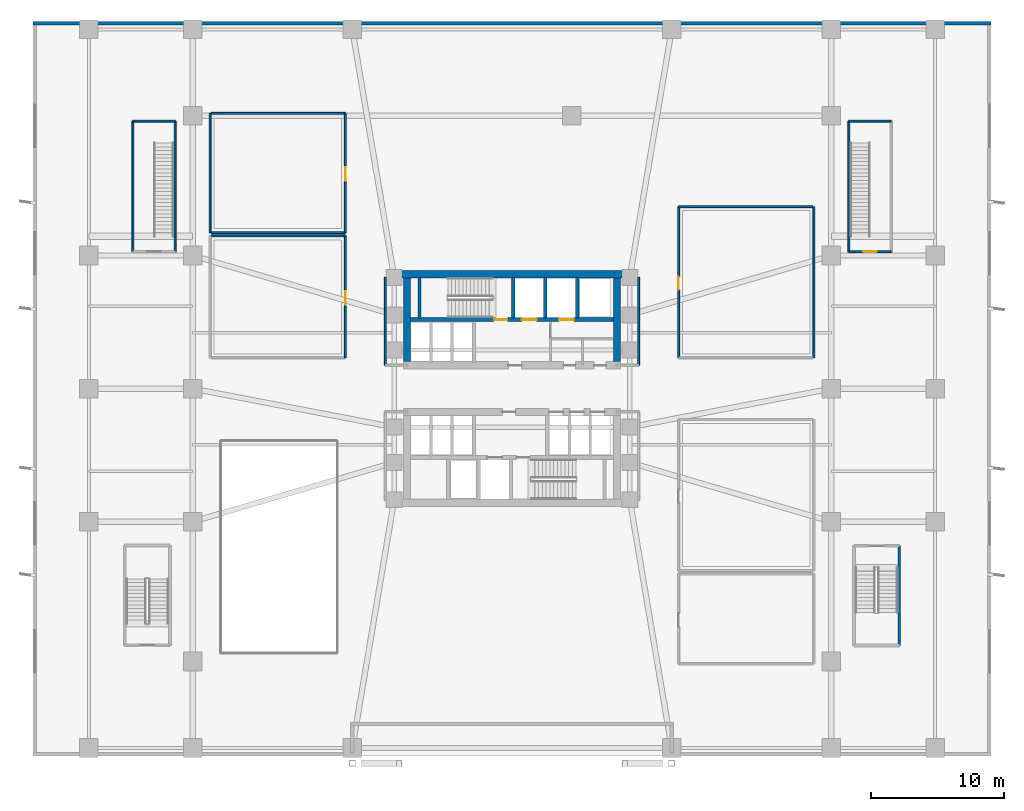
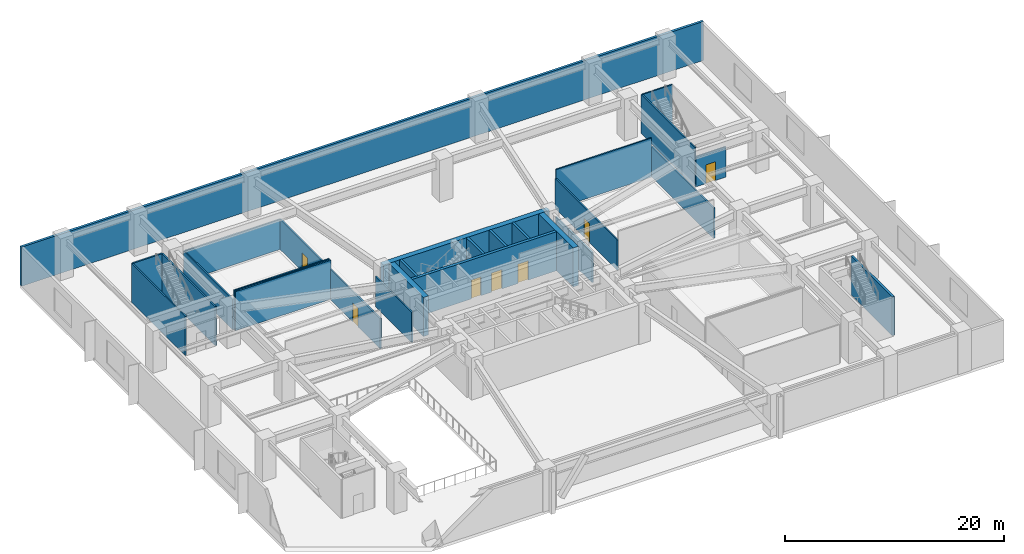
# One storey, part 6 of 12: 27 walls, 7 doors, 7 openings.
"""IFC4 building model written with IfcOpenShell, lengths in metres."""

from ifc_helpers import new_model, si_unit, direction, frame, frame_2d, origin, place, context, subcontext, project, spatial, rectangle, extrude, material, layer, layer_set, type_object, element, fill, save


model = new_model("IFC4")

# Units and contexts
model_context = context("Model", 3, precision=1e-05, world=origin(), true_north=direction((0.0, 1.0)))
body_context = subcontext(model_context, "Body", "Model", "MODEL_VIEW")
ifc_project = project(units=[si_unit("LENGTHUNIT", "METRE"), si_unit("AREAUNIT", "SQUARE_METRE"), si_unit("VOLUMEUNIT", "CUBIC_METRE"), si_unit("PLANEANGLEUNIT", "RADIAN"), si_unit("MASSUNIT", "GRAM", prefix="KILO")], contexts=[model_context])

# Site, building, storey
site_placement = place(None, origin())
site = spatial("IfcSite", under=ifc_project, at=site_placement, CompositionType="ELEMENT")
building_placement = place(site_placement, origin())
building = spatial("IfcBuilding", under=site, at=building_placement, Name="Solmarez Civic Tower", CompositionType="ELEMENT")
storey_placement = place(building_placement, frame((0.0, 0.0, 5.39990234375)))
storey = spatial("IfcBuildingStorey", under=building, at=storey_placement, Name="L01", CompositionType="ELEMENT", Elevation=5.39990234375)

# Walls
ifc_material_1 = material(Name="Concrete C60/75", Category="concrete")
ifc_layer_1 = layer(ifc_material_1, 0.550048828125)
ifc_layer_set_1 = layer_set([ifc_layer_1], Name="Concrete C60/75")
wall_type_1 = type_object("IfcWallType", Name="WALL-CORE-550", PredefinedType="SHEAR", material=ifc_layer_set_1)
wall_1_placement = place(storey_placement, frame((-8.780029296875, 8.5849609375, 0.0), z_axis=(0.0, 0.0, 1.0), x_axis=(1.0, 0.0, 0.0)))
element("IfcWall", 1, at=wall_1_placement, inside=storey, type_object=wall_type_1, Name="L01 Split-Core Structural Wall NCW-N-L01", PredefinedType="SHEAR", context=body_context, shape_type="SweptSolid", body=[
    extrude(rectangle(XDim=17.56005859375, YDim=0.550048828125, at=frame_2d((8.780029296875, 0.0))), origin(), (0.0, 0.0, 1.0), 4.360107421875),
])
for number, where, z_axis, x_axis, name in (
    (2, (-7.89501953125, 2.02490234375, 0.0), (0.0, 0.0, 1.0), (0.0, 1.0, 0.0), "L01 Split-Core Structural Wall NCW-W-L01"),
    (3, (7.89501953125, 8.31005859375, 0.0), (0.0, 0.0, 1.0), (0.0, -1.0, 0.0), "L01 Split-Core Structural Wall NCW-E-L01"),
):
    element("IfcWall", number, at=place(storey_placement, frame(where, z_axis=z_axis, x_axis=x_axis)), inside=storey, type_object=wall_type_1, Name=name, PredefinedType="SHEAR", context=body_context, shape_type="SweptSolid", body=[
        extrude(rectangle(XDim=6.28515625, YDim=0.550048828125, at=frame_2d((3.142578125, 0.0))), origin(), (0.0, 0.0, 1.0), 4.360107421875),
    ])
ifc_material_2 = material(Name="Precast concrete C40/50", Category="concrete")
ifc_layer_2 = layer(ifc_material_2, 0.260009765625)
ifc_layer_set_2 = layer_set([ifc_layer_2], Name="Precast concrete C40/50")
wall_type_2 = type_object("IfcWallType", Name="WALL-EXT-260", PredefinedType="SOLIDWALL", material=ifc_layer_set_2)
wall_2_placement = place(storey_placement, frame((-36.0, 27.469970703125, 0.0), z_axis=(0.0, 0.0, 1.0), x_axis=(1.0, 0.0, 0.0)))
element("IfcWall", 4, at=wall_2_placement, inside=storey, type_object=wall_type_2, Name="L01 North Exterior Precast Wall", PredefinedType="SOLIDWALL", context=body_context, shape_type="SweptSolid", body=[
    extrude(rectangle(XDim=72.0, YDim=0.260009765625, at=frame_2d((36.0, 0.0))), origin(), (0.0, 0.0, 1.0), 4.360107421875),
])
ifc_material_3 = material(Name="Gypsum Board Acoustic Steel-Stud Partition", Category="steel")
ifc_layer_3 = layer(ifc_material_3, 0.14990234375)
ifc_layer_set_3 = layer_set([ifc_layer_3], Name="Gypsum Board Acoustic Steel-Stud Partition")
wall_type_3 = type_object("IfcWallType", Name="WALL-INT-FIRE-150", PredefinedType="PARTITIONING", material=ifc_layer_set_3)
for number, where, z_axis, x_axis, name in (
    (5, (-28.47998046875, 10.300048828125, 0.0), (0.0, 0.0, 1.0), (0.0, 1.0, 0.0), "L01 Podium Stair P3 Shaft Wall"),
    (6, (-25.320068359375, 10.300048828125, 0.0), (0.0, 0.0, 1.0), (0.0, 1.0, 0.0), "L01 Podium Stair P3 Shaft Wall"),
):
    element("IfcWall", number, at=place(storey_placement, frame(where, z_axis=z_axis, x_axis=x_axis)), inside=storey, type_object=wall_type_3, Name=name, PredefinedType="PARTITIONING", context=body_context, shape_type="SweptSolid", body=[
        extrude(rectangle(XDim=9.800048828125, YDim=0.14990234375, at=frame_2d((4.89990234375, 0.0))), origin(), (0.0, 0.0, 1.0), 4.360107421875),
    ])
wall_3_placement = place(storey_placement, frame((-25.320068359375, 20.10009765625, 0.0), z_axis=(0.0, 0.0, 1.0), x_axis=(-1.0, 0.0, 0.0)))
element("IfcWall", 7, at=wall_3_placement, inside=storey, type_object=wall_type_3, Name="L01 Podium Stair P3 Shaft Wall", PredefinedType="PARTITIONING", context=body_context, shape_type="SweptSolid", body=[
    extrude(rectangle(XDim=3.159912109375, YDim=0.14990234375, at=frame_2d((1.580078125, 0.0))), origin(), (0.0, 0.0, 1.0), 4.360107421875),
])
wall_4_placement = place(storey_placement, frame((25.320068359375, 10.300048828125, 0.0), z_axis=(0.0, 0.0, 1.0), x_axis=(0.0, 1.0, 0.0)))
element("IfcWall", 8, at=wall_4_placement, inside=storey, type_object=wall_type_3, Name="L01 Podium Stair P4 Shaft Wall", PredefinedType="PARTITIONING", context=body_context, shape_type="SweptSolid", body=[
    extrude(rectangle(XDim=9.800048828125, YDim=0.14990234375, at=frame_2d((4.89990234375, 0.0))), origin(), (0.0, 0.0, 1.0), 4.360107421875),
])

# Wall, opening, door
wall_5_placement = place(storey_placement, frame((25.320068359375, 10.300048828125, 0.0), z_axis=(0.0, 0.0, 1.0), x_axis=(1.0, 0.0, 0.0)))
wall_5 = element("IfcWall", 9, at=wall_5_placement, inside=storey, type_object=wall_type_3, Name="L01 Podium Stair P4 Shaft Wall", PredefinedType="PARTITIONING", context=body_context, shape_type="SweptSolid", body=[
    extrude(rectangle(XDim=3.159912109375, YDim=0.14990234375, at=frame_2d((1.580078125, 0.0))), origin(), (0.0, 0.0, 1.0), 3.3701171875),
])
opening_1_placement = place(wall_5_placement, frame((1.080078125, 0.0, 0.0)))
opening_1 = element("IfcOpeningElement", 10, at=opening_1_placement, cuts=wall_5, Name="Opening D-05", PredefinedType="OPENING", context=body_context, shape_type="SweptSolid", body=[
    extrude(rectangle(XDim=1.0, YDim=2.10009765625, at=frame_2d((0.5, 1.050048828125))), frame((0.0, 0.0849609375, 0.0), z_axis=(0.0, -1.0, 0.0), x_axis=(1.0, 0.0, 0.0)), (0.0, 0.0, 1.0), 0.169921875),
])
ifc_material_4 = material(Name="Fire-Rated Stairwell Exit Door", Category="wood")
door_type_1 = type_object("IfcDoorType", Name="DOOR-FD90-1000", OperationType="NOTDEFINED", PredefinedType="DOOR", material=ifc_material_4)
door_1_placement = place(opening_1_placement, origin())
door_1 = element("IfcDoor", 11, at=door_1_placement, inside=storey, type_object=door_type_1, Name="L01 Podium Stair P4 Entry Door", OperationType="SINGLE_SWING_LEFT", OverallHeight=2.10009765625, OverallWidth=1.0, PredefinedType="DOOR", context=body_context, shape_type="SweptSolid", body=[
    extrude(rectangle(XDim=1.0, YDim=2.10009765625, at=frame_2d((0.5, 1.050048828125))), frame((0.0, 0.02490234375, 0.0), z_axis=(0.0, -1.0, 0.0), x_axis=(1.0, 0.0, 0.0)), (0.0, 0.0, 1.0), 0.050048828125),
])
fill(opening_1, door_1)

# Walls
wall_6_placement = place(storey_placement, frame((28.47998046875, 20.10009765625, 0.0), z_axis=(0.0, 0.0, 1.0), x_axis=(-1.0, 0.0, 0.0)))
element("IfcWall", 12, at=wall_6_placement, inside=storey, type_object=wall_type_3, Name="L01 Podium Stair P4 Shaft Wall", PredefinedType="PARTITIONING", context=body_context, shape_type="SweptSolid", body=[
    extrude(rectangle(XDim=3.159912109375, YDim=0.14990234375, at=frame_2d((1.580078125, 0.0))), origin(), (0.0, 0.0, 1.0), 4.360107421875),
])
for number, where, z_axis, x_axis, name in (
    (13, (-9.52001953125, 1.75, 0.0), (0.0, 0.0, 1.0), (0.0, 1.0, 0.0), "L01 Interior Partition CHW-L01-WN1"),
    (14, (9.52001953125, 1.75, 0.0), (0.0, 0.0, 1.0), (0.0, 1.0, 0.0), "L01 Interior Partition CHW-L01-EN1"),
):
    element("IfcWall", number, at=place(storey_placement, frame(where, z_axis=z_axis, x_axis=x_axis)), inside=storey, type_object=wall_type_3, Name=name, PredefinedType="PARTITIONING", context=body_context, shape_type="SweptSolid", body=[
        extrude(rectangle(XDim=6.6298828125, YDim=0.14990234375, at=frame_2d((3.31494140625, 0.0))), origin(), (0.0, 0.0, 1.0), 3.3701171875),
    ])
wall_7_placement = place(storey_placement, frame((-22.679931640625, 11.719970703125, 0.0), z_axis=(0.0, 0.0, 1.0), x_axis=(0.0, 1.0, 0.0)))
element("IfcWall", 15, at=wall_7_placement, inside=storey, type_object=wall_type_3, Name="L01 Interior Partition PT-L0X-L01-NW2-B", PredefinedType="PARTITIONING", context=body_context, shape_type="SweptSolid", body=[
    extrude(rectangle(XDim=8.9599609375, YDim=0.14990234375, at=frame_2d((4.47998046875, 0.0))), origin(), (0.0, 0.0, 1.0), 3.3701171875),
])
wall_8_placement = place(storey_placement, frame((22.679931640625, 2.320068359375, 0.0), z_axis=(0.0, 0.0, 1.0), x_axis=(0.0, 1.0, 0.0)))
element("IfcWall", 16, at=wall_8_placement, inside=storey, type_object=wall_type_3, Name="L01 Interior Partition PT-L0X-L01-NE1-B", PredefinedType="PARTITIONING", context=body_context, shape_type="SweptSolid", body=[
    extrude(rectangle(XDim=11.35986328125, YDim=0.14990234375, at=frame_2d((5.679931640625, 0.0))), origin(), (0.0, 0.0, 1.0), 3.3701171875),
])

# Wall, opening, door
ifc_layer_4 = layer(ifc_material_3, 0.14501953125)
ifc_layer_set_4 = layer_set([ifc_layer_4], Name="Gypsum Board Acoustic Steel-Stud Partition")
wall_type_4 = type_object("IfcWallType", Name="WALL-INT-PART-150", PredefinedType="PARTITIONING", material=ifc_layer_set_4)
wall_9_placement = place(storey_placement, frame((-12.52001953125, 11.47998046875, 0.0), z_axis=(0.0, 0.0, 1.0), x_axis=(0.0, -1.0, 0.0)))
wall_9 = element("IfcWall", 17, at=wall_9_placement, inside=storey, type_object=wall_type_4, Name="L01 Interior Partition PT-L0X-L01-NW1-F", PredefinedType="PARTITIONING", context=body_context, shape_type="SweptSolid", body=[
    extrude(rectangle(XDim=9.159912109375, YDim=0.14501953125, at=frame_2d((4.580078125, 0.0))), origin(), (0.0, 0.0, 1.0), 3.3701171875),
])
opening_2_placement = place(wall_9_placement, frame((4.159912109375, 0.0, 0.0)))
opening_2 = element("IfcOpeningElement", 18, at=opening_2_placement, cuts=wall_9, Name="Opening D-04", PredefinedType="OPENING", context=body_context, shape_type="SweptSolid", body=[
    extrude(rectangle(XDim=1.0, YDim=2.10009765625, at=frame_2d((0.5, 1.050048828125))), frame((0.0, 0.08251953125, 0.0), z_axis=(0.0, -1.0, 0.0), x_axis=(1.0, 0.0, 0.0)), (0.0, 0.0, 1.0), 0.1650390625),
])
ifc_material_5 = material(Name="Steel-Faced Acoustic Fire Door", Category="steel")
door_type_2 = type_object("IfcDoorType", Name="DOOR-FD60-1000", OperationType="NOTDEFINED", PredefinedType="DOOR", material=ifc_material_5)
door_2_placement = place(opening_2_placement, origin())
door_2 = element("IfcDoor", 19, at=door_2_placement, inside=storey, type_object=door_type_2, Name="L01 Citizen Registry Office Door", OperationType="SINGLE_SWING_LEFT", OverallHeight=2.10009765625, OverallWidth=1.0, PredefinedType="DOOR", context=body_context, shape_type="SweptSolid", body=[
    extrude(rectangle(XDim=1.0, YDim=2.10009765625, at=frame_2d((0.5, 1.050048828125))), frame((0.0, 0.02490234375, 0.0), z_axis=(0.0, -1.0, 0.0), x_axis=(1.0, 0.0, 0.0)), (0.0, 0.0, 1.0), 0.050048828125),
])
fill(opening_2, door_2)

# Wall
wall_10_placement = place(storey_placement, frame((-22.60009765625, 11.47998046875, 0.0), z_axis=(0.0, 0.0, 1.0), x_axis=(1.0, 0.0, 0.0)))
element("IfcWall", 20, at=wall_10_placement, inside=storey, type_object=wall_type_4, Name="L01 Interior Partition PT-L0X-L01-NW1-N", PredefinedType="PARTITIONING", context=body_context, shape_type="SweptSolid", body=[
    extrude(rectangle(XDim=10.080078125, YDim=0.14501953125, at=frame_2d((5.0400390625, 0.0))), origin(), (0.0, 0.0, 1.0), 4.360107421875),
])

# Wall, opening, door
wall_11_placement = place(storey_placement, frame((-12.52001953125, 20.679931640625, 0.0), z_axis=(0.0, 0.0, 1.0), x_axis=(0.0, -1.0, 0.0)))
wall_11 = element("IfcWall", 21, at=wall_11_placement, inside=storey, type_object=wall_type_4, Name="L01 Interior Partition PT-L0X-L01-NW2-F", PredefinedType="PARTITIONING", context=body_context, shape_type="SweptSolid", body=[
    extrude(rectangle(XDim=8.9599609375, YDim=0.14501953125, at=frame_2d((4.47998046875, 0.0))), origin(), (0.0, 0.0, 1.0), 3.3701171875),
])
opening_3_placement = place(wall_11_placement, frame((4.06005859375, 0.0, 0.0)))
opening_3 = element("IfcOpeningElement", 22, at=opening_3_placement, cuts=wall_11, Name="Opening D-04", PredefinedType="OPENING", context=body_context, shape_type="SweptSolid", body=[
    extrude(rectangle(XDim=1.0, YDim=2.10009765625, at=frame_2d((0.5, 1.050048828125))), frame((0.0, 0.08251953125, 0.0), z_axis=(0.0, -1.0, 0.0), x_axis=(1.0, 0.0, 0.0)), (0.0, 0.0, 1.0), 0.1650390625),
])
door_3_placement = place(opening_3_placement, origin())
door_3 = element("IfcDoor", 23, at=door_3_placement, inside=storey, type_object=door_type_2, Name="L01 Municipal Licensing Office Door", OperationType="SINGLE_SWING_LEFT", OverallHeight=2.10009765625, OverallWidth=1.0, PredefinedType="DOOR", context=body_context, shape_type="SweptSolid", body=[
    extrude(rectangle(XDim=1.0, YDim=2.10009765625, at=frame_2d((0.5, 1.050048828125))), frame((0.0, 0.02490234375, 0.0), z_axis=(0.0, -1.0, 0.0), x_axis=(1.0, 0.0, 0.0)), (0.0, 0.0, 1.0), 0.050048828125),
])
fill(opening_3, door_3)

# Walls
wall_12_placement = place(storey_placement, frame((-22.60009765625, 11.719970703125, 0.0), z_axis=(0.0, 0.0, 1.0), x_axis=(1.0, 0.0, 0.0)))
element("IfcWall", 24, at=wall_12_placement, inside=storey, type_object=wall_type_4, Name="L01 Interior Partition PT-L0X-L01-NW2-S", PredefinedType="PARTITIONING", context=body_context, shape_type="SweptSolid", body=[
    extrude(rectangle(XDim=10.080078125, YDim=0.14501953125, at=frame_2d((5.0400390625, 0.0))), origin(), (0.0, 0.0, 1.0), 4.360107421875),
])
wall_13_placement = place(storey_placement, frame((-22.60009765625, 20.679931640625, 0.0), z_axis=(0.0, 0.0, 1.0), x_axis=(1.0, 0.0, 0.0)))
element("IfcWall", 25, at=wall_13_placement, inside=storey, type_object=wall_type_4, Name="L01 Interior Partition PT-L0X-L01-NW2-N", PredefinedType="PARTITIONING", context=body_context, shape_type="SweptSolid", body=[
    extrude(rectangle(XDim=10.080078125, YDim=0.14501953125, at=frame_2d((5.0400390625, 0.0))), origin(), (0.0, 0.0, 1.0), 3.3701171875),
])

# Wall, opening, door
wall_14_placement = place(storey_placement, frame((12.52001953125, 2.320068359375, 0.0), z_axis=(0.0, 0.0, 1.0), x_axis=(0.0, 1.0, 0.0)))
wall_14 = element("IfcWall", 26, at=wall_14_placement, inside=storey, type_object=wall_type_4, Name="L01 Interior Partition PT-L0X-L01-NE1-F", PredefinedType="PARTITIONING", context=body_context, shape_type="SweptSolid", body=[
    extrude(rectangle(XDim=11.35986328125, YDim=0.14501953125, at=frame_2d((5.679931640625, 0.0))), origin(), (0.0, 0.0, 1.0), 3.3701171875),
])
opening_4_placement = place(wall_14_placement, frame((5.10009765625, 0.0, 0.0)))
opening_4 = element("IfcOpeningElement", 27, at=opening_4_placement, cuts=wall_14, Name="Opening D-04", PredefinedType="OPENING", context=body_context, shape_type="SweptSolid", body=[
    extrude(rectangle(XDim=1.0, YDim=2.10009765625, at=frame_2d((0.5, 1.050048828125))), frame((0.0, 0.08251953125, 0.0), z_axis=(0.0, -1.0, 0.0), x_axis=(1.0, 0.0, 0.0)), (0.0, 0.0, 1.0), 0.1650390625),
])
door_4_placement = place(opening_4_placement, origin())
door_4 = element("IfcDoor", 28, at=door_4_placement, inside=storey, type_object=door_type_2, Name="L01 Passport Consultation Room Door", OperationType="SINGLE_SWING_LEFT", OverallHeight=2.10009765625, OverallWidth=1.0, PredefinedType="DOOR", context=body_context, shape_type="SweptSolid", body=[
    extrude(rectangle(XDim=1.0, YDim=2.10009765625, at=frame_2d((0.5, 1.050048828125))), frame((0.0, 0.02490234375, 0.0), z_axis=(0.0, -1.0, 0.0), x_axis=(1.0, 0.0, 0.0)), (0.0, 0.0, 1.0), 0.050048828125),
])
fill(opening_4, door_4)

# Wall
wall_15_placement = place(storey_placement, frame((12.52001953125, 13.679931640625, 0.0), z_axis=(0.0, 0.0, 1.0), x_axis=(1.0, 0.0, 0.0)))
element("IfcWall", 29, at=wall_15_placement, inside=storey, type_object=wall_type_4, Name="L01 Interior Partition PT-L0X-L01-NE1-N", PredefinedType="PARTITIONING", context=body_context, shape_type="SweptSolid", body=[
    extrude(rectangle(XDim=10.080078125, YDim=0.14501953125, at=frame_2d((5.0400390625, 0.0))), origin(), (0.0, 0.0, 1.0), 4.360107421875),
])

# Wall, openings, doors
ifc_material_6 = material(Name="Concrete C50/60", Category="concrete")
ifc_layer_5 = layer(ifc_material_6, 0.300048828125)
ifc_layer_set_5 = layer_set([ifc_layer_5], Name="Concrete C50/60")
wall_type_5 = type_object("IfcWallType", Name="WALL-STR-300", PredefinedType="SOLIDWALL", material=ifc_layer_set_5)
wall_16_placement = place(storey_placement, frame((7.6201171875, 5.179931640625, 0.0), z_axis=(0.0, 0.0, 1.0), x_axis=(-1.0, 0.0, 0.0)))
wall_16 = element("IfcWall", 30, at=wall_16_placement, inside=storey, type_object=wall_type_5, Name="L01 Split-Core Structural Wall NCW-M-L01", PredefinedType="SOLIDWALL", context=body_context, shape_type="SweptSolid", body=[
    extrude(rectangle(XDim=15.240234375, YDim=0.300048828125, at=frame_2d((7.6201171875, 0.0))), origin(), (0.0, 0.0, 1.0), 4.360107421875),
])
opening_5_placement = place(wall_16_placement, frame((5.77001953125, 0.0, 0.0)))
opening_5 = element("IfcOpeningElement", 31, at=opening_5_placement, cuts=wall_16, Name="Opening LD-02", PredefinedType="OPENING", context=body_context, shape_type="SweptSolid", body=[
    extrude(rectangle(XDim=1.10009765625, YDim=2.14990234375, at=frame_2d((0.550048828125, 1.074951171875))), frame((0.0, 0.159912109375, 0.0), z_axis=(0.0, -1.0, 0.0), x_axis=(1.0, 0.0, 0.0)), (0.0, 0.0, 1.0), 0.320068359375),
])
opening_6_placement = place(wall_16_placement, frame((2.969970703125, 0.0, 0.0)))
opening_6 = element("IfcOpeningElement", 32, at=opening_6_placement, cuts=wall_16, Name="Opening LD-03", PredefinedType="OPENING", context=body_context, shape_type="SweptSolid", body=[
    extrude(rectangle(XDim=1.10009765625, YDim=2.14990234375, at=frame_2d((0.550048828125, 1.074951171875))), frame((0.0, 0.159912109375, 0.0), z_axis=(0.0, -1.0, 0.0), x_axis=(1.0, 0.0, 0.0)), (0.0, 0.0, 1.0), 0.320068359375),
])
opening_7_placement = place(wall_16_placement, frame((7.969970703125, 0.0, 0.0)))
opening_7 = element("IfcOpeningElement", 33, at=opening_7_placement, cuts=wall_16, Name="Opening D-05", PredefinedType="OPENING", context=body_context, shape_type="SweptSolid", body=[
    extrude(rectangle(XDim=1.0, YDim=2.10009765625, at=frame_2d((0.5, 1.050048828125))), frame((0.0, 0.159912109375, 0.0), z_axis=(0.0, -1.0, 0.0), x_axis=(1.0, 0.0, 0.0)), (0.0, 0.0, 1.0), 0.320068359375),
])
door_5_placement = place(opening_7_placement, origin())
door_5 = element("IfcDoor", 34, at=door_5_placement, inside=storey, type_object=door_type_1, Name="L01 North Exit Stair Door ST-1", OperationType="SINGLE_SWING_RIGHT", OverallHeight=2.10009765625, OverallWidth=1.0, PredefinedType="DOOR", context=body_context, shape_type="SweptSolid", body=[
    extrude(rectangle(XDim=1.0, YDim=2.10009765625, at=frame_2d((0.5, 1.050048828125))), frame((0.0, 0.02490234375, 0.0), z_axis=(0.0, -1.0, 0.0), x_axis=(1.0, 0.0, 0.0)), (0.0, 0.0, 1.0), 0.050048828125),
])
fill(opening_7, door_5)
ifc_material_7 = material(Name="Stainless Firefighting Lift Landing Sliding Door", Category="aluminium")
door_type_3 = type_object("IfcDoorType", Name="DOOR-LD-FF-1100", OperationType="DOUBLE_DOOR_SLIDING", PredefinedType="DOOR", material=ifc_material_7)
door_6_placement = place(opening_5_placement, origin())
door_6 = element("IfcDoor", 35, at=door_6_placement, inside=storey, type_object=door_type_3, Name="L01 Firefighting Lift Landing Door FFL-1", OperationType="DOUBLE_DOOR_SLIDING", OverallHeight=2.14990234375, OverallWidth=1.10009765625, PredefinedType="DOOR", context=body_context, shape_type="SweptSolid", body=[
    extrude(rectangle(XDim=1.10009765625, YDim=2.14990234375, at=frame_2d((0.550048828125, 1.074951171875))), frame((0.0, 0.02490234375, 0.0), z_axis=(0.0, -1.0, 0.0), x_axis=(1.0, 0.0, 0.0)), (0.0, 0.0, 1.0), 0.050048828125),
])
fill(opening_5, door_6)
ifc_material_8 = material(Name="Stainless Stretcher Lift Landing Sliding Door", Category="aluminium")
door_type_4 = type_object("IfcDoorType", Name="DOOR-LD-SV-1100", OperationType="DOUBLE_DOOR_SLIDING", PredefinedType="DOOR", material=ifc_material_8)
door_7_placement = place(opening_6_placement, origin())
door_7 = element("IfcDoor", 36, at=door_7_placement, inside=storey, type_object=door_type_4, Name="L01 Service Stretcher Lift Landing Door SVL-1", OperationType="DOUBLE_DOOR_SLIDING", OverallHeight=2.14990234375, OverallWidth=1.10009765625, PredefinedType="DOOR", context=body_context, shape_type="SweptSolid", body=[
    extrude(rectangle(XDim=1.10009765625, YDim=2.14990234375, at=frame_2d((0.550048828125, 1.074951171875))), frame((0.0, 0.02490234375, 0.0), z_axis=(0.0, -1.0, 0.0), x_axis=(1.0, 0.0, 0.0)), (0.0, 0.0, 1.0), 0.050048828125),
])
fill(opening_6, door_7)

# Walls
wall_17_placement = place(storey_placement, frame((-6.949951171875, 5.280029296875, 0.0), z_axis=(0.0, 0.0, 1.0), x_axis=(0.0, 1.0, 0.0)))
element("IfcWall", 37, at=wall_17_placement, inside=storey, type_object=wall_type_5, Name="L01 Split-Core Structural Wall SHW-NW-L01", PredefinedType="SOLIDWALL", context=body_context, shape_type="SweptSolid", body=[
    extrude(rectangle(XDim=3.06005859375, YDim=0.219970703125, at=frame_2d((1.530029296875, 0.0))), origin(), (0.0, 0.0, 1.0), 4.360107421875),
])
for number, where, z_axis, x_axis, name in (
    (38, (0.10009765625, 5.300048828125, 0.0), (0.0, 0.0, 1.0), (0.0, 1.0, 0.0), "L01 Split-Core Structural Wall SHW-N1-L01"),
    (39, (2.5, 5.300048828125, 0.0), (0.0, 0.0, 1.0), (0.0, 1.0, 0.0), "L01 Split-Core Structural Wall SHW-N2-L01"),
    (40, (4.89990234375, 5.300048828125, 0.0), (0.0, 0.0, 1.0), (0.0, 1.0, 0.0), "L01 Split-Core Structural Wall SHW-N3-L01"),
):
    element("IfcWall", number, at=place(storey_placement, frame(where, z_axis=z_axis, x_axis=x_axis)), inside=storey, type_object=wall_type_5, Name=name, PredefinedType="SOLIDWALL", context=body_context, shape_type="SweptSolid", body=[
        extrude(rectangle(XDim=3.0400390625, YDim=0.25, at=frame_2d((1.52001953125, 0.0))), origin(), (0.0, 0.0, 1.0), 4.360107421875),
    ])
wall_18_placement = place(storey_placement, frame((29.10009765625, -19.300048828125, 0.0), z_axis=(0.0, 0.0, 1.0), x_axis=(0.0, 1.0, 0.0)))
element("IfcWall", 41, at=wall_18_placement, inside=storey, type_object=wall_type_5, Name="L01 Podium Stair Structural Wall STP2-E", PredefinedType="SOLIDWALL", context=body_context, shape_type="SweptSolid", body=[
    extrude(rectangle(XDim=7.5, YDim=0.219970703125, at=frame_2d((3.75, 0.0))), origin(), (0.0, 0.0, 1.0), 4.360107421875),
])

save(model, "model.ifc")
